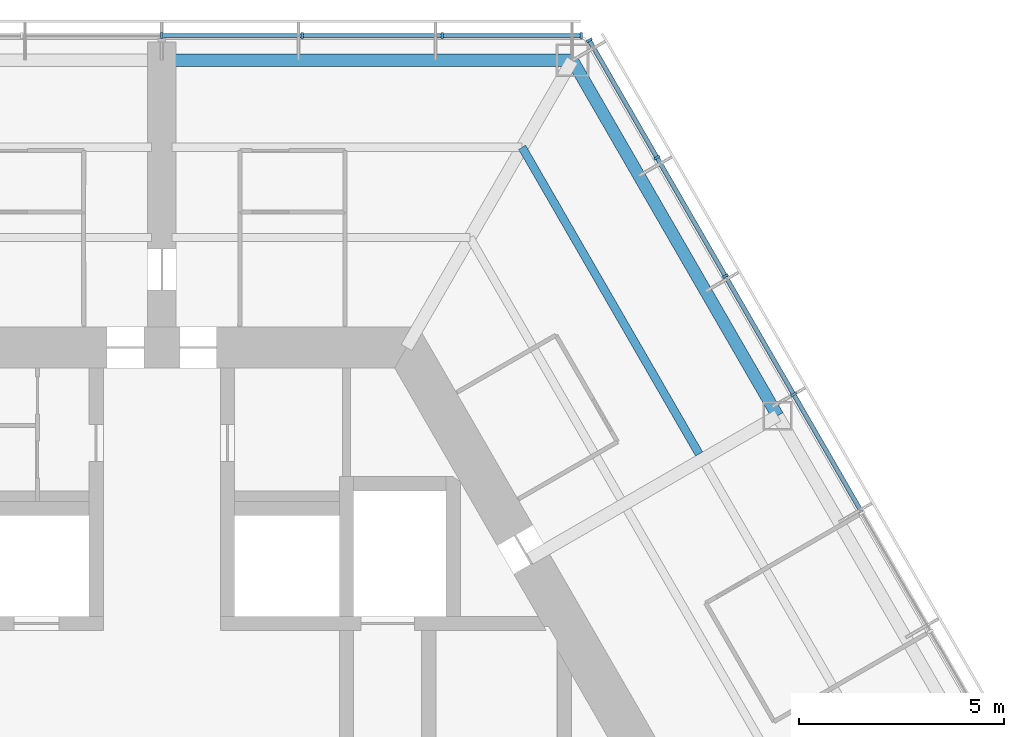
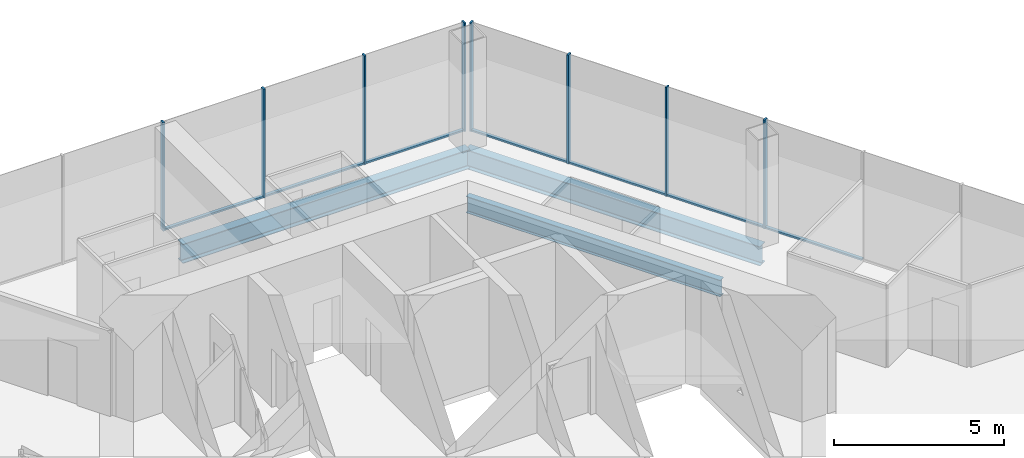
# One storey, part 8 of 18: 15 members, 3 beams, 2 elements without a shape of their own.
"""IFC4 building model written with IfcOpenShell, lengths in metres."""

from ifc_helpers import new_model, si_unit, direction, frame, origin, origin_2d, place, context, subcontext, project, spatial, rectangle, i_section, extrude, material, material_profile, profile_set, type_object, element, aggregate, save


model = new_model("IFC4")

# Units and contexts
model_context = context("Model", 3, precision=1e-05, world=origin(), true_north=direction((0.0, 1.0)))
body_context = subcontext(model_context, "Body", "Model", "MODEL_VIEW")
ifc_project = project(units=[si_unit("LENGTHUNIT", "METRE"), si_unit("AREAUNIT", "SQUARE_METRE"), si_unit("VOLUMEUNIT", "CUBIC_METRE"), si_unit("PLANEANGLEUNIT", "RADIAN"), si_unit("MASSUNIT", "GRAM", prefix="KILO")], contexts=[model_context])

# Site, building, storey
site_placement = place(None, origin())
site = spatial("IfcSite", under=ifc_project, at=site_placement, CompositionType="ELEMENT")
building_placement = place(site_placement, origin())
building = spatial("IfcBuilding", under=site, at=building_placement, Name="Kasaneha Research Tower", CompositionType="ELEMENT")
storey_placement = place(building_placement, frame((0.0, 0.0, 187.699951171875)))
storey = spatial("IfcBuildingStorey", under=building, at=storey_placement, Name="L47", CompositionType="ELEMENT", Elevation=187.699951171875)

# Beam
ifc_material_1 = material(Name="Steel SN490B", Category="steel")
ifc_material_profile_1 = material_profile(ifc_material_1, i_section(OverallWidth=0.199951171875, OverallDepth=0.60009765625, WebThickness=0.010986328125, FlangeThickness=0.01708984375, FilletRadius=0.012939453125, at=origin_2d()), Name="H-600x200x11x17")
ifc_profile_set_1 = profile_set([ifc_material_profile_1], Name="Steel SN490B")
beam_type_1 = type_object("IfcBeamType", Name="B1-3 secondary beam H-600x200x11x17", PredefinedType="JOIST", material=ifc_profile_set_1)
beam_1_placement = place(storey_placement, frame((8.775634765625, 15.199951171875, -0.449951171875), z_axis=(0.500017275495, -0.866015429543, 0.0), x_axis=(0.866015429543, 0.500017275495, 0.0)))
element("IfcBeam", 1, at=beam_1_placement, inside=storey, type_object=beam_type_1, Name="Secondary beam RS030R2 L47", PredefinedType="JOIST", context=body_context, shape_type="SweptSolid", body=[
    extrude(i_section(OverallWidth=0.199951171875, OverallDepth=0.60009765625, WebThickness=0.010986328125, FlangeThickness=0.01708984375, FilletRadius=0.012939453125, at=origin_2d()), origin(), (0.0, 0.0, 1.0), 8.625732421875),
])

# Curtain wall, members
ifc_material_2 = material(Name="Glass and aluminium", Category="aluminium")
curtain_wall_type = type_object("IfcCurtainWallType", Name="Mid-rise office curtain wall", PredefinedType="USERDEFINED", material=ifc_material_2)
curtain_wall_1_placement = place(storey_placement, origin())
curtain_wall_1 = element("IfcCurtainWall", 2, at=curtain_wall_1_placement, inside=storey, type_object=curtain_wall_type, Name="CW-O2 L47 run 06a", ObjectType="UNITISED CURTAIN WALL", PredefinedType="USERDEFINED")
ifc_material_3 = material(Name="Aluminium 6063-T6", Category="aluminium")
ifc_material_profile_2 = material_profile(ifc_material_3, rectangle(XDim=0.06005859375, YDim=0.14990234375, at=origin_2d()), Name="CW-O2 mullion 60x150")
ifc_profile_set_2 = profile_set([ifc_material_profile_2], Name="Aluminium 6063-T6")
member_type_1 = type_object("IfcMemberType", Name="CW-O2 mullion", PredefinedType="MULLION", material=ifc_profile_set_2)
member_1_placement = place(storey_placement, frame((15.392822265625, 9.179931640625, 0.0), z_axis=(0.0, 0.0, 1.0), x_axis=(-0.499999979232, 0.866025415775, 0.0)))
member_1 = element("IfcMember", 3, at=member_1_placement, type_object=member_type_1, Name="CW-O2 mullion 4", PredefinedType="MULLION", context=body_context, shape_type="SweptSolid", body=[
    extrude(rectangle(XDim=0.06005859375, YDim=0.14990234375, at=origin_2d()), origin(), (0.0, 0.0, 1.0), 3.900146484375),
])
member_2_placement = place(storey_placement, frame((13.727294921875, 12.064453125, 0.0), z_axis=(0.0, 0.0, 1.0), x_axis=(-0.499999979232, 0.866025415775, 0.0)))
member_2 = element("IfcMember", 4, at=member_2_placement, type_object=member_type_1, Name="CW-O2 mullion 5", PredefinedType="MULLION", context=body_context, shape_type="SweptSolid", body=[
    extrude(rectangle(XDim=0.06005859375, YDim=0.14990234375, at=origin_2d()), origin(), (0.0, 0.0, 1.0), 3.900146484375),
])
member_3_placement = place(storey_placement, frame((12.061767578125, 14.94921875, 0.0), z_axis=(0.0, 0.0, 1.0), x_axis=(-0.499999979232, 0.866025415775, 0.0)))
member_3 = element("IfcMember", 5, at=member_3_placement, type_object=member_type_1, Name="CW-O2 mullion 6", PredefinedType="MULLION", context=body_context, shape_type="SweptSolid", body=[
    extrude(rectangle(XDim=0.06005859375, YDim=0.14990234375, at=origin_2d()), origin(), (0.0, 0.0, 1.0), 3.900146484375),
])
member_4_placement = place(storey_placement, frame((10.411376953125, 17.807861328125, 0.0), z_axis=(0.0, 0.0, 1.0), x_axis=(-0.499999979232, 0.866025415775, 0.0)))
member_4 = element("IfcMember", 6, at=member_4_placement, type_object=member_type_1, Name="CW-O2 mullion 7", PredefinedType="MULLION", context=body_context, shape_type="SweptSolid", body=[
    extrude(rectangle(XDim=0.06005859375, YDim=0.14990234375, at=origin_2d()), origin(), (0.0, 0.0, 1.0), 3.900146484375),
])

curtain_wall_2_placement = place(storey_placement, origin())
curtain_wall_2 = element("IfcCurtainWall", 7, at=curtain_wall_2_placement, inside=storey, type_object=curtain_wall_type, Name="CW-O2 L47 run 07a", ObjectType="UNITISED CURTAIN WALL", PredefinedType="USERDEFINED")
member_5_placement = place(storey_placement, frame((10.21630859375, 17.92041015625, 0.0), z_axis=(0.0, 0.0, 1.0), x_axis=(-1.0, 0.0, 0.0)))
member_5 = element("IfcMember", 8, at=member_5_placement, type_object=member_type_1, Name="CW-O2 mullion 1", PredefinedType="MULLION", context=body_context, shape_type="SweptSolid", body=[
    extrude(rectangle(XDim=0.06005859375, YDim=0.14990234375, at=origin_2d()), origin(), (0.0, 0.0, 1.0), 3.900146484375),
])
member_6_placement = place(storey_placement, frame((6.8310546875, 17.92041015625, 0.0), z_axis=(0.0, 0.0, 1.0), x_axis=(-1.0, 0.0, 0.0)))
member_6 = element("IfcMember", 9, at=member_6_placement, type_object=member_type_1, Name="CW-O2 mullion 2", PredefinedType="MULLION", context=body_context, shape_type="SweptSolid", body=[
    extrude(rectangle(XDim=0.06005859375, YDim=0.14990234375, at=origin_2d()), origin(), (0.0, 0.0, 1.0), 3.900146484375),
])
member_7_placement = place(storey_placement, frame((3.41552734375, 17.92041015625, 0.0), z_axis=(0.0, 0.0, 1.0), x_axis=(-1.0, 0.0, 0.0)))
member_7 = element("IfcMember", 10, at=member_7_placement, type_object=member_type_1, Name="CW-O2 mullion 3", PredefinedType="MULLION", context=body_context, shape_type="SweptSolid", body=[
    extrude(rectangle(XDim=0.06005859375, YDim=0.14990234375, at=origin_2d()), origin(), (0.0, 0.0, 1.0), 3.900146484375),
])
member_8_placement = place(storey_placement, frame((0.0, 17.92041015625, 0.0), z_axis=(0.0, 0.0, 1.0), x_axis=(-1.0, 0.0, 0.0)))
member_8 = element("IfcMember", 11, at=member_8_placement, type_object=member_type_1, Name="CW-O2 mullion 4", PredefinedType="MULLION", context=body_context, shape_type="SweptSolid", body=[
    extrude(rectangle(XDim=0.06005859375, YDim=0.14990234375, at=origin_2d()), origin(), (0.0, 0.0, 1.0), 3.900146484375),
])

# Member
ifc_material_4 = material(Name="Aluminium 6063-T6", Category="aluminium")
ifc_material_profile_3 = material_profile(ifc_material_4, rectangle(XDim=0.110107421875, YDim=0.06005859375, at=origin_2d()), Name="CW-O2 transom 110x60")
ifc_profile_set_3 = profile_set([ifc_material_profile_3], Name="Aluminium 6063-T6")
member_type_2 = type_object("IfcMemberType", Name="CW-O2 transom", PredefinedType="USERDEFINED", material=ifc_profile_set_3)
member_9_placement = place(storey_placement, frame((17.043212890625, 6.3212890625, 0.030029296875), z_axis=(-0.50003259116, 0.866006586452, 0.0), x_axis=(-0.866006586452, -0.50003259116, 0.0)))
member_9 = element("IfcMember", 12, at=member_9_placement, type_object=member_type_2, Name="CW-O2 transom 3", ObjectType="TRANSOM", PredefinedType="USERDEFINED", context=body_context, shape_type="SweptSolid", body=[
    extrude(rectangle(XDim=0.110107421875, YDim=0.06005859375, at=origin_2d()), origin(), (0.0, 0.0, 1.0), 3.270751953125),
])

member_10_placement = place(storey_placement, frame((15.3779296875, 9.205810546875, 0.030029296875), z_axis=(-0.500000270186, 0.866025247793, 0.0), x_axis=(-0.866025247793, -0.500000270186, 0.0)))
member_10 = element("IfcMember", 13, at=member_10_placement, type_object=member_type_2, Name="CW-O2 transom 4", ObjectType="TRANSOM", PredefinedType="USERDEFINED", context=body_context, shape_type="SweptSolid", body=[
    extrude(rectangle(XDim=0.110107421875, YDim=0.06005859375, at=origin_2d()), origin(), (0.0, 0.0, 1.0), 3.27099609375),
])

member_11_placement = place(storey_placement, frame((13.71240234375, 12.090576171875, 0.030029296875), z_axis=(-0.500000270186, 0.866025247793, 0.0), x_axis=(-0.866025247793, -0.500000270186, 0.0)))
member_11 = element("IfcMember", 14, at=member_11_placement, type_object=member_type_2, Name="CW-O2 transom 5", ObjectType="TRANSOM", PredefinedType="USERDEFINED", context=body_context, shape_type="SweptSolid", body=[
    extrude(rectangle(XDim=0.110107421875, YDim=0.06005859375, at=origin_2d()), origin(), (0.0, 0.0, 1.0), 3.27099609375),
])

member_12_placement = place(storey_placement, frame((12.046875, 14.97509765625, 0.030029296875), z_axis=(-0.499955025697, 0.866051368154, 0.0), x_axis=(-0.866051368154, -0.499955025697, 0.0)))
member_12 = element("IfcMember", 15, at=member_12_placement, type_object=member_type_2, Name="CW-O2 transom 6", ObjectType="TRANSOM", PredefinedType="USERDEFINED", context=body_context, shape_type="SweptSolid", body=[
    extrude(rectangle(XDim=0.110107421875, YDim=0.06005859375, at=origin_2d()), origin(), (0.0, 0.0, 1.0), 3.240966796875),
])

aggregate(curtain_wall_1, [member_1, member_2, member_3, member_4, member_9, member_10, member_11, member_12])

member_13_placement = place(storey_placement, frame((10.1865234375, 17.92041015625, 0.030029296875), z_axis=(-1.0, 0.0, 0.0), x_axis=(0.0, -1.0, 0.0)))
member_13 = element("IfcMember", 16, at=member_13_placement, type_object=member_type_2, Name="CW-O2 transom 1", ObjectType="TRANSOM", PredefinedType="USERDEFINED", context=body_context, shape_type="SweptSolid", body=[
    extrude(rectangle(XDim=0.110107421875, YDim=0.06005859375, at=origin_2d()), origin(), (0.0, 0.0, 1.0), 3.32568359375),
])

member_14_placement = place(storey_placement, frame((6.801025390625, 17.92041015625, 0.030029296875), z_axis=(-1.0, 0.0, 0.0), x_axis=(0.0, -1.0, 0.0)))
member_14 = element("IfcMember", 17, at=member_14_placement, type_object=member_type_2, Name="CW-O2 transom 2", ObjectType="TRANSOM", PredefinedType="USERDEFINED", context=body_context, shape_type="SweptSolid", body=[
    extrude(rectangle(XDim=0.110107421875, YDim=0.06005859375, at=origin_2d()), origin(), (0.0, 0.0, 1.0), 3.35546875),
])

member_15_placement = place(storey_placement, frame((3.385498046875, 17.92041015625, 0.030029296875), z_axis=(-1.0, 0.0, 0.0), x_axis=(0.0, -1.0, 0.0)))
member_15 = element("IfcMember", 18, at=member_15_placement, type_object=member_type_2, Name="CW-O2 transom 3", ObjectType="TRANSOM", PredefinedType="USERDEFINED", context=body_context, shape_type="SweptSolid", body=[
    extrude(rectangle(XDim=0.110107421875, YDim=0.06005859375, at=origin_2d()), origin(), (0.0, 0.0, 1.0), 3.35546875),
])

aggregate(curtain_wall_2, [member_5, member_6, member_7, member_8, member_13, member_14, member_15])

# Beams
ifc_material_5 = material(Name="Steel SN490B", Category="steel")
ifc_material_profile_4 = material_profile(ifc_material_5, i_section(OverallWidth=0.300048828125, OverallDepth=0.69189453125, WebThickness=0.012939453125, FlangeThickness=0.02001953125, FilletRadius=0.01806640625, at=origin_2d()), Name="H-692x300x13x20")
ifc_profile_set_4 = profile_set([ifc_material_profile_4], Name="Steel SN490B")
beam_type_2 = type_object("IfcBeamType", Name="G3-3 plate edge girder H-692x300x13x20", PredefinedType="BEAM", material=ifc_profile_set_4)
beam_2_placement = place(storey_placement, frame((10.0, 17.320556640625, -0.495849609375), z_axis=(-1.0, 0.0, 0.0), x_axis=(0.0, -1.0, 0.0)))
element("IfcBeam", 19, at=beam_2_placement, inside=storey, type_object=beam_type_2, Name="Plate edge girder PEAP L47", PredefinedType="BEAM", context=body_context, shape_type="SweptSolid", body=[
    extrude(i_section(OverallWidth=0.300048828125, OverallDepth=0.69189453125, WebThickness=0.012939453125, FlangeThickness=0.02001953125, FilletRadius=0.01806640625, at=origin_2d()), origin(), (0.0, 0.0, 1.0), 9.75),
])
ifc_material_6 = material(Name="Steel SN490B", Category="steel")
ifc_material_profile_5 = material_profile(ifc_material_6, i_section(OverallWidth=0.300048828125, OverallDepth=0.69189453125, WebThickness=0.012939453125, FlangeThickness=0.02001953125, FilletRadius=0.01806640625, at=origin_2d()), Name="H-692x300x13x20")
ifc_profile_set_5 = profile_set([ifc_material_profile_5], Name="Steel SN490B")
beam_type_3 = type_object("IfcBeamType", Name="SB1-3 spandrel beam H-692x300x13x20", PredefinedType="SPANDREL", material=ifc_profile_set_5)
beam_3_placement = place(storey_placement, frame((10.0, 17.320556640625, -0.495849609375), z_axis=(0.499993662806, -0.866029062534, 0.0), x_axis=(0.866029062534, 0.499993662806, 0.0)))
element("IfcBeam", 20, at=beam_3_placement, inside=storey, type_object=beam_type_3, Name="Spandrel beam SR030R L47", PredefinedType="SPANDREL", context=body_context, shape_type="SweptSolid", body=[
    extrude(i_section(OverallWidth=0.300048828125, OverallDepth=0.69189453125, WebThickness=0.012939453125, FlangeThickness=0.02001953125, FilletRadius=0.01806640625, at=origin_2d()), origin(), (0.0, 0.0, 1.0), 10.000244140625),
])

save(model, "model.ifc")
